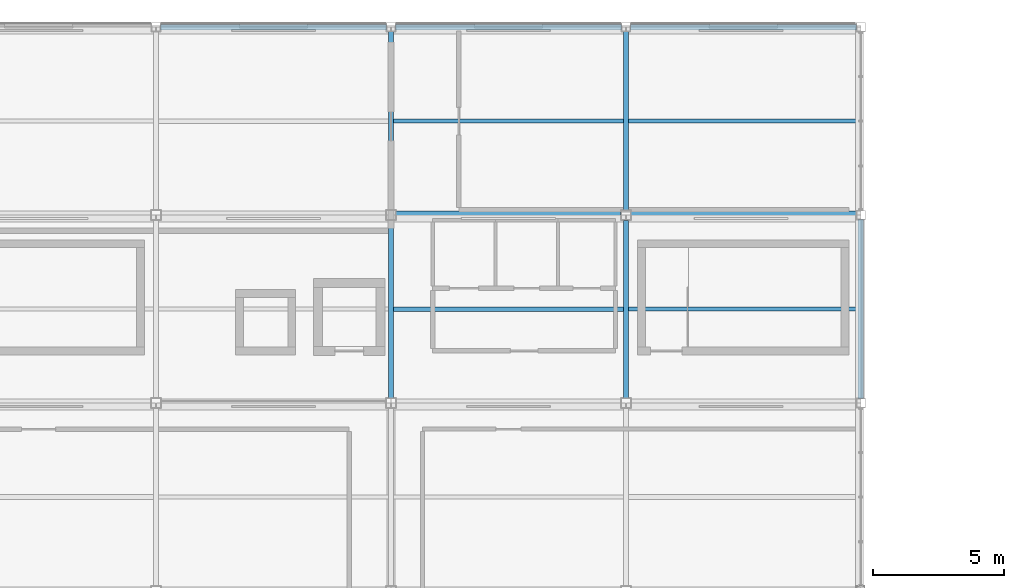
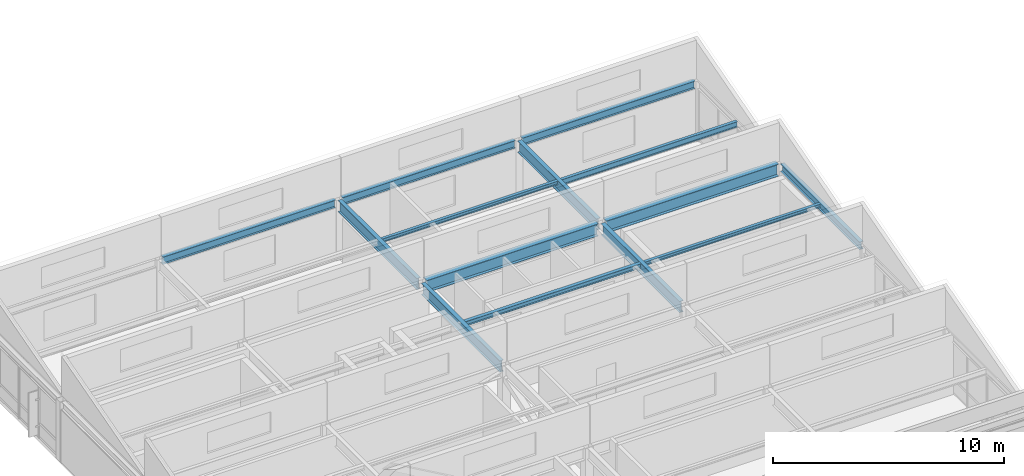
# One storey, part 18 of 43: 14 beams.
"""IFC4 building model written with IfcOpenShell, lengths in metres."""

from ifc_helpers import new_model, si_unit, direction, frame, origin, origin_2d, place, context, subcontext, project, spatial, i_section, extrude, material, material_profile, profile_set, type_object, element, save


model = new_model("IFC4")

# Units and contexts
model_context = context("Model", 3, precision=1e-05, world=origin(), true_north=direction((0.0, 1.0)))
body_context = subcontext(model_context, "Body", "Model", "MODEL_VIEW")
ifc_project = project(units=[si_unit("LENGTHUNIT", "METRE"), si_unit("AREAUNIT", "SQUARE_METRE"), si_unit("VOLUMEUNIT", "CUBIC_METRE"), si_unit("PLANEANGLEUNIT", "RADIAN"), si_unit("MASSUNIT", "GRAM", prefix="KILO")], contexts=[model_context])

# Site, building, storey
site_placement = place(None, origin())
site = spatial("IfcSite", under=ifc_project, at=site_placement, CompositionType="ELEMENT")
building_placement = place(site_placement, origin())
building = spatial("IfcBuilding", under=site, at=building_placement, Name="Kazanami Central Library", CompositionType="ELEMENT")
storey_placement = place(building_placement, frame((0.0, 0.0, 20.60009765625)))
storey = spatial("IfcBuildingStorey", under=building, at=storey_placement, Name="L06", CompositionType="ELEMENT", Elevation=20.60009765625)

# Beams
ifc_material_1 = material(Name="Steel SN400B (235 MPa)", Category="steel")
ifc_material_profile_1 = material_profile(ifc_material_1, i_section(OverallWidth=0.14990234375, OverallDepth=0.300048828125, WebThickness=0.006591796875, FlangeThickness=0.009033203125, at=origin_2d()), Name="H-300x150x6.5x9")
ifc_profile_set_1 = profile_set([ifc_material_profile_1], Name="Steel SN400B (235 MPa)")
beam_type_1 = type_object("IfcBeamType", Name="BM-B-S4", PredefinedType="JOIST", material=ifc_profile_set_1)
beam_1_placement = place(storey_placement, frame((27.097900390625, 90.0, 3.02978515625), z_axis=(1.0, 0.0, 0.0), x_axis=(0.0, 1.0, 0.0)))
element("IfcBeam", 1, at=beam_1_placement, inside=storey, type_object=beam_type_1, Name="Composite Secondary Joist B-S4 L06 Bay 4/N.1", PredefinedType="JOIST", context=body_context, shape_type="SweptSolid", body=[
    extrude(i_section(OverallWidth=0.14990234375, OverallDepth=0.300048828125, WebThickness=0.006591796875, FlangeThickness=0.009033203125, at=origin_2d()), origin(), (0.0, 0.0, 1.0), 8.80419921875),
])
ifc_material_profile_2 = material_profile(ifc_material_1, i_section(OverallWidth=0.175048828125, OverallDepth=0.243896484375, WebThickness=0.007080078125, FlangeThickness=0.010986328125, at=origin_2d()), Name="H-244x175x7x11")
ifc_profile_set_2 = profile_set([ifc_material_profile_2], Name="Steel SN400B (235 MPa)")
beam_type_2 = type_object("IfcBeamType", Name="BM-B-S6", PredefinedType="JOIST", material=ifc_profile_set_2)
beam_2_placement = place(storey_placement, frame((18.097900390625, 82.800048828125, 3.057861328125), z_axis=(1.0, 0.0, 0.0), x_axis=(0.0, 1.0, 0.0)))
element("IfcBeam", 2, at=beam_2_placement, inside=storey, type_object=beam_type_2, Name="Composite Secondary Joist B-S6 L06 Bay 3/M.1", PredefinedType="JOIST", context=body_context, shape_type="SweptSolid", body=[
    extrude(i_section(OverallWidth=0.175048828125, OverallDepth=0.243896484375, WebThickness=0.007080078125, FlangeThickness=0.010986328125, at=origin_2d()), origin(), (0.0, 0.0, 1.0), 8.80419921875),
])
ifc_material_profile_3 = material_profile(ifc_material_1, i_section(OverallWidth=0.14990234375, OverallDepth=0.194091796875, WebThickness=0.006103515625, FlangeThickness=0.009033203125, at=origin_2d()), Name="H-194x150x6x9")
ifc_profile_set_3 = profile_set([ifc_material_profile_3], Name="Steel SN400B (235 MPa)")
beam_type_3 = type_object("IfcBeamType", Name="BM-B-S7", PredefinedType="JOIST", material=ifc_profile_set_3)
for number, where, z_axis, x_axis, name in (
    (3, (18.097900390625, 90.0, 3.0830078125), (1.0, 0.0, 0.0), (0.0, 1.0, 0.0), "Composite Secondary Joist B-S7 L06 Bay 3/N.1"),
    (4, (27.097900390625, 82.800048828125, 3.0830078125), (1.0, 0.0, 0.0), (0.0, 1.0, 0.0), "Composite Secondary Joist B-S7 L06 Bay 4/M.1"),
):
    element("IfcBeam", number, at=place(storey_placement, frame(where, z_axis=z_axis, x_axis=x_axis)), inside=storey, type_object=beam_type_3, Name=name, PredefinedType="JOIST", context=body_context, shape_type="SweptSolid", body=[
        extrude(i_section(OverallWidth=0.14990234375, OverallDepth=0.194091796875, WebThickness=0.006103515625, FlangeThickness=0.009033203125, at=origin_2d()), origin(), (0.0, 0.0, 1.0), 8.80419921875),
    ])
ifc_material_2 = material(Name="Steel SN490B (325 MPa)", Category="steel")
ifc_material_profile_4 = material_profile(ifc_material_2, i_section(OverallWidth=0.300048828125, OverallDepth=0.64990234375, WebThickness=0.012939453125, FlangeThickness=0.02099609375, at=origin_2d()), Name="H-650x300x13x21")
ifc_profile_set_4 = profile_set([ifc_material_profile_4], Name="Steel SN490B (325 MPa)")
beam_type_4 = type_object("IfcBeamType", Name="BM-G-TR", PredefinedType="BEAM", material=ifc_profile_set_4)
beam_3_placement = place(storey_placement, frame((18.197998046875, 86.39990234375, 2.85498046875), z_axis=(1.0, 0.0, 0.0), x_axis=(0.0, 1.0, 0.0)))
element("IfcBeam", 5, at=beam_3_placement, inside=storey, type_object=beam_type_4, Name="Girder G-TR L06 N/3-4", PredefinedType="BEAM", context=body_context, shape_type="SweptSolid", body=[
    extrude(i_section(OverallWidth=0.300048828125, OverallDepth=0.64990234375, WebThickness=0.012939453125, FlangeThickness=0.02099609375, at=origin_2d()), origin(), (0.0, 0.0, 1.0), 8.60400390625),
])
beam_4_placement = place(storey_placement, frame((27.197998046875, 86.39990234375, 2.85498046875), z_axis=(1.0, 0.0, 0.0), x_axis=(0.0, 1.0, 0.0)))
element("IfcBeam", 6, at=beam_4_placement, inside=storey, type_object=beam_type_4, Name="Girder G-TR L06 N/4-5", PredefinedType="BEAM", context=body_context, shape_type="SweptSolid", body=[
    extrude(i_section(OverallWidth=0.300048828125, OverallDepth=0.64990234375, WebThickness=0.012939453125, FlangeThickness=0.02099609375, at=origin_2d()), origin(), (0.0, 0.0, 1.0), 8.62890625),
])
ifc_material_profile_5 = material_profile(ifc_material_2, i_section(OverallWidth=0.199951171875, OverallDepth=0.60009765625, WebThickness=0.010986328125, FlangeThickness=0.01708984375, at=origin_2d()), Name="H-600x200x11x17")
ifc_profile_set_5 = profile_set([ifc_material_profile_5], Name="Steel SN490B (325 MPa)")
beam_type_5 = type_object("IfcBeamType", Name="BM-G-Y1", PredefinedType="BEAM", material=ifc_profile_set_5)
beam_5_placement = place(storey_placement, frame((18.0, 79.39794921875, 2.8798828125), z_axis=(0.0, 1.0, 0.0), x_axis=(-1.0, 0.0, 0.0)))
element("IfcBeam", 7, at=beam_5_placement, inside=storey, type_object=beam_type_5, Name="Girder G-Y1 L06 3/M-N", PredefinedType="BEAM", context=body_context, shape_type="SweptSolid", body=[
    extrude(i_section(OverallWidth=0.199951171875, OverallDepth=0.60009765625, WebThickness=0.010986328125, FlangeThickness=0.01708984375, at=origin_2d()), origin(), (0.0, 0.0, 1.0), 6.803955078125),
])
beam_6_placement = place(storey_placement, frame((18.0, 86.597900390625, 2.8798828125), z_axis=(0.0, 1.0, 0.0), x_axis=(-1.0, 0.0, 0.0)))
element("IfcBeam", 8, at=beam_6_placement, inside=storey, type_object=beam_type_5, Name="Girder G-Y1 L06 3/N-O", PredefinedType="BEAM", context=body_context, shape_type="SweptSolid", body=[
    extrude(i_section(OverallWidth=0.199951171875, OverallDepth=0.60009765625, WebThickness=0.010986328125, FlangeThickness=0.01708984375, at=origin_2d()), origin(), (0.0, 0.0, 1.0), 6.8291015625),
])
beam_7_placement = place(storey_placement, frame((27.0, 79.39794921875, 2.8798828125), z_axis=(0.0, 1.0, 0.0), x_axis=(-1.0, 0.0, 0.0)))
element("IfcBeam", 9, at=beam_7_placement, inside=storey, type_object=beam_type_5, Name="Girder G-Y1 L06 4/M-N", PredefinedType="BEAM", context=body_context, shape_type="SweptSolid", body=[
    extrude(i_section(OverallWidth=0.199951171875, OverallDepth=0.60009765625, WebThickness=0.010986328125, FlangeThickness=0.01708984375, at=origin_2d()), origin(), (0.0, 0.0, 1.0), 6.803955078125),
])
beam_8_placement = place(storey_placement, frame((27.0, 86.597900390625, 2.8798828125), z_axis=(0.0, 1.0, 0.0), x_axis=(-1.0, 0.0, 0.0)))
element("IfcBeam", 10, at=beam_8_placement, inside=storey, type_object=beam_type_5, Name="Girder G-Y1 L06 4/N-O", PredefinedType="BEAM", context=body_context, shape_type="SweptSolid", body=[
    extrude(i_section(OverallWidth=0.199951171875, OverallDepth=0.60009765625, WebThickness=0.010986328125, FlangeThickness=0.01708984375, at=origin_2d()), origin(), (0.0, 0.0, 1.0), 6.8291015625),
])
ifc_material_profile_6 = material_profile(ifc_material_2, i_section(OverallWidth=0.199951171875, OverallDepth=0.39990234375, WebThickness=0.008056640625, FlangeThickness=0.012939453125, at=origin_2d()), Name="H-400x200x8x13")
ifc_profile_set_6 = profile_set([ifc_material_profile_6], Name="Steel SN490B (325 MPa)")
beam_type_6 = type_object("IfcBeamType", Name="BM-SP-3", PredefinedType="SPANDREL", material=ifc_profile_set_6)
for number, where, z_axis, x_axis, name in (
    (11, (9.173095703125, 93.60009765625, 2.97998046875), (1.0, 0.0, 0.0), (0.0, 1.0, 0.0), "Girder SP-3 L06 O/2-3"),
    (12, (18.173095703125, 93.60009765625, 2.97998046875), (1.0, 0.0, 0.0), (0.0, 1.0, 0.0), "Girder SP-3 L06 O/3-4"),
    (13, (27.173095703125, 93.60009765625, 2.97998046875), (1.0, 0.0, 0.0), (0.0, 1.0, 0.0), "Girder SP-3 L06 O/4-5"),
):
    element("IfcBeam", number, at=place(storey_placement, frame(where, z_axis=z_axis, x_axis=x_axis)), inside=storey, type_object=beam_type_6, Name=name, PredefinedType="SPANDREL", context=body_context, shape_type="SweptSolid", body=[
        extrude(i_section(OverallWidth=0.199951171875, OverallDepth=0.39990234375, WebThickness=0.008056640625, FlangeThickness=0.012939453125, at=origin_2d()), origin(), (0.0, 0.0, 1.0), 8.65380859375),
    ])
beam_9_placement = place(storey_placement, frame((36.0, 79.373046875, 2.97998046875), z_axis=(0.0, 1.0, 0.0), x_axis=(-1.0, 0.0, 0.0)))
element("IfcBeam", 14, at=beam_9_placement, inside=storey, type_object=beam_type_6, Name="Girder SP-3 L06 5/M-N", PredefinedType="SPANDREL", context=body_context, shape_type="SweptSolid", body=[
    extrude(i_section(OverallWidth=0.199951171875, OverallDepth=0.39990234375, WebThickness=0.008056640625, FlangeThickness=0.012939453125, at=origin_2d()), origin(), (0.0, 0.0, 1.0), 6.85400390625),
])

save(model, "model.ifc")
